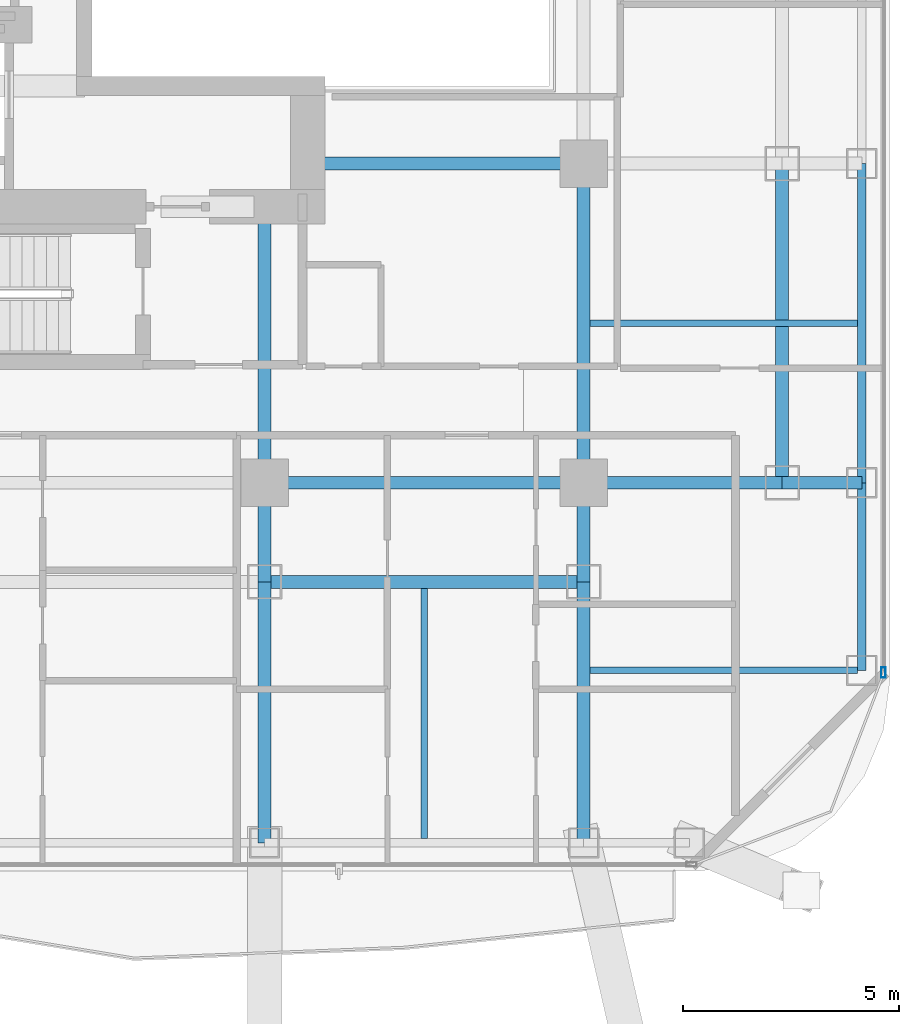
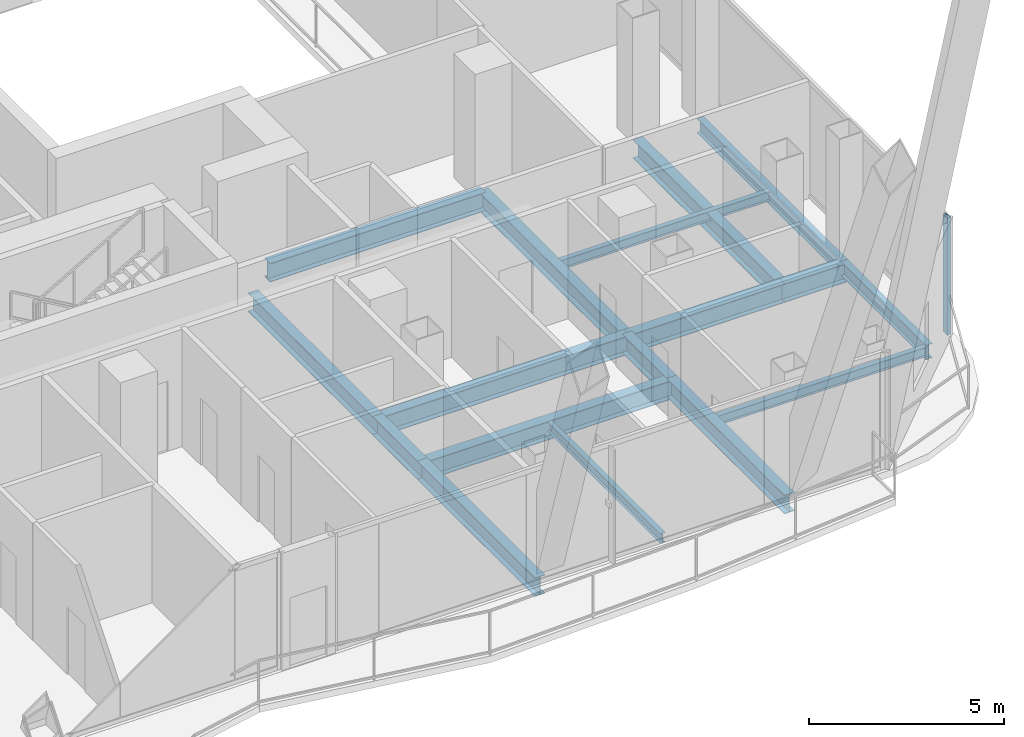
# One storey, part 11 of 34: 17 beams, 1 member, 1 element without a shape of its own.
"""IFC4 building model written with IfcOpenShell, lengths in metres."""

import ifcopenshell
import ifcopenshell.guid

model = None  # the IFC model being written
_history = None  # IfcOwnerHistory: only IFC2X3 demands one
_inside = {}  # id of a spatial element -> (the spatial element, [elements in it])
_under = {}  # id of a project, library or spatial element -> (it, [spatial elements below it])
_declared = {}  # id of a project -> (the project, [libraries it declares])
_typed = {}  # id of a type object -> (the type object, [elements of that type])
_made_of = {}  # id of a material, layer set ... -> (it, [elements and type objects made of it])


def new_model(schema):
    """Start an empty IFC model of exactly this schema.

    Asked for "IFC4X3", IfcOpenShell would pick the latest addendum, in which some entities
    have other attributes; the version numbers below select the first issue.
    IFC2X3 requires an IfcOwnerHistory on every rooted entity: one is made here for all.
    """
    global model, _history
    if schema == "IFC4X3":
        model = ifcopenshell.file(schema_version=(4, 3, 0, 0))
    else:
        model = ifcopenshell.file(schema=schema)
    _inside.clear()
    _under.clear()
    _declared.clear()
    _typed.clear()
    _made_of.clear()
    _history = None
    if model.schema == "IFC2X3":
        org = make("IfcOrganization", Name="unknown")
        user = make(
            "IfcPersonAndOrganization",
            ThePerson=make("IfcPerson", FamilyName="unknown"),
            TheOrganization=org,
        )
        app = make(
            "IfcApplication",
            ApplicationDeveloper=org,
            Version="unknown",
            ApplicationFullName="unknown",
            ApplicationIdentifier="unknown",
        )
        _history = make(
            "IfcOwnerHistory",
            OwningUser=user,
            OwningApplication=app,
            ChangeAction="ADDED",
            CreationDate=0,
        )
    return model


def make(cls, **values):
    """One entity of the class cls with the attributes given. An attribute that is None is left unset."""
    return model.create_entity(
        cls, **{name: value for name, value in values.items() if value is not None}
    )


def rooted(cls, **values):
    """An entity with a GlobalId (a new one), such as an element, a storey or a relation."""
    return make(cls, GlobalId=ifcopenshell.guid.new(), OwnerHistory=_history, **values)


def si_unit(unit_type, name, prefix=None):
    """IfcSIUnit, for example si_unit("LENGTHUNIT", "METRE", prefix="MILLI")."""
    return make("IfcSIUnit", UnitType=unit_type, Prefix=prefix, Name=name)


def assignment(units):
    """IfcUnitAssignment: the units of a project."""
    return None if units is None else make("IfcUnitAssignment", Units=units)


def point(xyz):
    """IfcCartesianPoint."""
    return None if xyz is None else make("IfcCartesianPoint", Coordinates=xyz)


def direction(xyz):
    """IfcDirection."""
    return None if xyz is None else make("IfcDirection", DirectionRatios=xyz)


def frame(location, z_axis=None, x_axis=None):
    """IfcAxis2Placement3D, a coordinate frame: its origin and axes. An axis left out is left unset."""
    return make(
        "IfcAxis2Placement3D",
        Location=point(location),
        Axis=direction(z_axis),
        RefDirection=direction(x_axis),
    )


def frame_2d(location, x_axis=None):
    """IfcAxis2Placement2D, a coordinate frame in the plane: its origin and x axis."""
    return make(
        "IfcAxis2Placement2D", Location=point(location), RefDirection=direction(x_axis)
    )


def origin():
    """The frame at (0, 0, 0) with its axes left unset."""
    return frame((0.0, 0.0, 0.0))


def origin_2d():
    """The frame at (0, 0) in the plane with its x axis left unset."""
    return frame_2d((0.0, 0.0))


def place(relative_to, where):
    """IfcLocalPlacement: puts the frame where relative to a parent placement (None: the world)."""
    return make(
        "IfcLocalPlacement", PlacementRelTo=relative_to, RelativePlacement=where
    )


def context(
    kind, dimensions, precision=None, world=None, true_north=None, identifier=None
):
    """IfcGeometricRepresentationContext, for example the 3D "Model" context."""
    return make(
        "IfcGeometricRepresentationContext",
        ContextIdentifier=identifier,
        ContextType=kind,
        CoordinateSpaceDimension=dimensions,
        Precision=precision,
        WorldCoordinateSystem=world,
        TrueNorth=true_north,
    )


def subcontext(parent, identifier, kind, view, scale=None):
    """IfcGeometricRepresentationSubContext, for example "Body" below "Model"."""
    return make(
        "IfcGeometricRepresentationSubContext",
        ContextIdentifier=identifier,
        ContextType=kind,
        ParentContext=parent,
        TargetScale=scale,
        TargetView=view,
    )


def project(units=None, contexts=None):
    """IfcProject with its units and contexts."""
    return rooted(
        "IfcProject",
        Name="project",
        RepresentationContexts=contexts,
        UnitsInContext=assignment(units),
    )


def spatial(cls, under=None, at=None, **own):
    """A site, building, storey or space (cls), placed at a placement, below another one or the project."""
    s = rooted(cls, ObjectPlacement=at, **own)
    if under is not None:
        _under.setdefault(under.id(), (under, []))[1].append(s)
    return s


def profile(cls, at=None, kind="AREA", **sizes):
    """A parametric profile (cls). Its sizes go by their IFC names, for example OverallWidth=200.0."""
    return make(cls, ProfileType=kind, Position=at, **sizes)


def hollow_rectangle(**sizes):
    """IfcRectangleHollowProfileDef."""
    return profile("IfcRectangleHollowProfileDef", **sizes)


def i_section(**sizes):
    """IfcIShapeProfileDef."""
    return profile("IfcIShapeProfileDef", **sizes)


def extrude(swept, where, along, depth):
    """IfcExtrudedAreaSolid: the profile swept, set in the frame where, extruded along a direction by depth."""
    return make(
        "IfcExtrudedAreaSolid",
        SweptArea=swept,
        Position=where,
        ExtrudedDirection=direction(along),
        Depth=depth,
    )


def shape(context_of_items, identifier, shape_type, items):
    """IfcShapeRepresentation: the items that make up one representation, for example the "Body"."""
    return make(
        "IfcShapeRepresentation",
        ContextOfItems=context_of_items,
        RepresentationIdentifier=identifier,
        RepresentationType=shape_type,
        Items=items,
    )


def material(Name=None, Category=None):
    """IfcMaterial."""
    return make("IfcMaterial", Name=Name, Category=Category)


def layer(
    of_material, thickness, ventilated=None, Name=None, Category=None, Priority=None
):
    """IfcMaterialLayer: one layer of a wall or slab, of a material (None: an air gap)."""
    return make(
        "IfcMaterialLayer",
        Material=of_material,
        LayerThickness=thickness,
        IsVentilated=ventilated,
        Name=Name,
        Category=Category,
        Priority=Priority,
    )


def layer_set(layers, Name=None):
    """IfcMaterialLayerSet."""
    return make("IfcMaterialLayerSet", MaterialLayers=layers, LayerSetName=Name)


def material_profile(
    of_material, cross_section, Name=None, Category=None, Priority=None
):
    """IfcMaterialProfile: a cross section and its material."""
    return make(
        "IfcMaterialProfile",
        Name=Name,
        Material=of_material,
        Profile=cross_section,
        Priority=Priority,
        Category=Category,
    )


def profile_set(profiles, Name=None, composite=None):
    """IfcMaterialProfileSet."""
    return make(
        "IfcMaterialProfileSet",
        Name=Name,
        MaterialProfiles=profiles,
        CompositeProfile=composite,
    )


def made_of(thing, what):
    """Note that an element or type object is made of a material, layer set ...; save() writes the relation."""
    if what is not None:
        _made_of.setdefault(what.id(), (what, []))[1].append(thing)
    return thing


def type_object(cls, material=None, **own):
    """A type object (cls), such as IfcWallType, which elements share."""
    return made_of(rooted(cls, **own), material)


def element(
    cls,
    number,
    at=None,
    inside=None,
    cuts=None,
    type_object=None,
    material=None,
    context=None,
    identifier="Body",
    shape_type=None,
    held_by="IfcProductDefinitionShape",
    body=None,
    shapes=None,
    **own,
):
    """One element of the class cls, such as IfcWall. Its Tag is "e" and its number.

    at: its placement. inside: the storey or other place that contains it. cuts: it is an
    opening in that element (IfcRelVoidsElement). A single representation is given by context,
    identifier, shape_type and body (its items); several are given by shapes. held_by: the class
    of the entity that holds the representations. save() writes the other relations.
    """
    e = rooted(cls, Tag="e%d" % number, ObjectPlacement=at, **own)
    if body is not None:
        shapes = [shape(context, identifier, shape_type, body)]
    if shapes is not None:
        e.Representation = make(held_by, Representations=shapes)
    if inside is not None:
        _inside.setdefault(inside.id(), (inside, []))[1].append(e)
    if cuts is not None:
        rooted(
            "IfcRelVoidsElement", RelatingBuildingElement=cuts, RelatedOpeningElement=e
        )
    if type_object is not None:
        _typed.setdefault(type_object.id(), (type_object, []))[1].append(e)
    return made_of(e, material)


def aggregate(whole, parts):
    """IfcRelAggregates: a whole, such as a stair, and the parts it consists of."""
    return rooted("IfcRelAggregates", RelatingObject=whole, RelatedObjects=parts)


def save(model, path):
    """Write the relations noted so far, then the file.

    IfcRelAggregates (storeys below a building ...), IfcRelContainedInSpatialStructure (elements
    in a storey), IfcRelDefinesByType, IfcRelAssociatesMaterial and IfcRelDeclares: one each for
    every whole, place, type object, material and project.
    """
    for whole, parts in _under.values():
        aggregate(whole, parts)
    for where, things in _inside.values():
        rooted(
            "IfcRelContainedInSpatialStructure",
            RelatedElements=things,
            RelatingStructure=where,
        )
    for kind, things in _typed.values():
        rooted("IfcRelDefinesByType", RelatedObjects=things, RelatingType=kind)
    for what, things in _made_of.values():
        rooted("IfcRelAssociatesMaterial", RelatedObjects=things, RelatingMaterial=what)
    for by, libraries in _declared.values():
        rooted("IfcRelDeclares", RelatingContext=by, RelatedDefinitions=libraries)
    model.write(path)


model = new_model("IFC4")

# Units and contexts
model_context = context("Model", 3, precision=1e-05, world=origin(), true_north=direction((0.0, 1.0)))
body_context = subcontext(model_context, "Body", "Model", "MODEL_VIEW")
ifc_project = project(units=[si_unit("LENGTHUNIT", "METRE"), si_unit("AREAUNIT", "SQUARE_METRE"), si_unit("VOLUMEUNIT", "CUBIC_METRE"), si_unit("PLANEANGLEUNIT", "RADIAN"), si_unit("MASSUNIT", "GRAM", prefix="KILO")], contexts=[model_context])

# Site, building, storey
site_placement = place(None, origin())
site = spatial("IfcSite", under=ifc_project, at=site_placement, CompositionType="ELEMENT")
building_placement = place(site_placement, origin())
building = spatial("IfcBuilding", under=site, at=building_placement, Name="Khorvyn Point Tower", CompositionType="ELEMENT")
storey_placement = place(building_placement, frame((0.0, 0.0, 175.800048828125)))
storey = spatial("IfcBuildingStorey", under=building, at=storey_placement, Name="L43", CompositionType="ELEMENT", Elevation=175.800048828125)

# Curtain wall, member
ifc_material_1 = material(Name="Anodised aluminium 6063-T6 and laminated Low-E glass", Category="aluminium")
ifc_layer = layer(ifc_material_1, 0.18994140625)
ifc_layer_set = layer_set([ifc_layer], Name="Stick-Built Acoustic Curtain Wall CW-SYS-03")
curtain_wall_type = type_object("IfcCurtainWallType", Name="Stick-Built Acoustic Curtain Wall CW-SYS-03", PredefinedType="NOTDEFINED", material=ifc_layer_set)
curtain_wall_placement = place(storey_placement, origin())
curtain_wall = element("IfcCurtainWall", 1, at=curtain_wall_placement, inside=storey, type_object=curtain_wall_type, Name="Curtain Wall", PredefinedType="NOTDEFINED")
ifc_material_2 = material(Name="Anodised aluminium 6063-T6", Category="aluminium")
ifc_material_profile_1 = material_profile(ifc_material_2, hollow_rectangle(XDim=0.10009765625, YDim=0.239990234375, WallThickness=0.0048828125, at=origin_2d()))
ifc_profile_set_1 = profile_set([ifc_material_profile_1], Name="Anodised aluminium 6063-T6 ALU-MUL-100x240")
member_type = type_object("IfcMemberType", Name="Anodised Aluminium 6063-T6 Mullion ALU-MUL-100x240", PredefinedType="MULLION", material=ifc_profile_set_1)
member_placement = place(storey_placement, frame((21.75, -19.199951171875, 0.0), z_axis=(0.0, 0.0, 1.0), x_axis=(1.0, 0.0, 0.0)))
member = element("IfcMember", 2, at=member_placement, type_object=member_type, Name="Transom", PredefinedType="MULLION", context=body_context, shape_type="SweptSolid", body=[
    extrude(hollow_rectangle(XDim=0.10009765625, YDim=0.239990234375, WallThickness=0.0048828125, at=origin_2d()), origin(), (0.0, 0.0, 1.0), 3.679931640625),
])
aggregate(curtain_wall, [member])

# Beams
ifc_material_3 = material(Name="Steel S355", Category="steel")
ifc_material_profile_2 = material_profile(ifc_material_3, i_section(OverallWidth=0.300048828125, OverallDepth=0.587890625, WebThickness=0.011962890625, FlangeThickness=0.02001953125, at=origin_2d()))
ifc_profile_set_2 = profile_set([ifc_material_profile_2], Name="Steel S355 H588x300x12x20")
beam_type_1 = type_object("IfcBeamType", Name="Steel S355 Beam H588x300x12x20", PredefinedType="BEAM", material=ifc_profile_set_2)
beam_1_placement = place(storey_placement, frame((7.39990234375, -14.800048828125, -0.51416015625), z_axis=(1.0, 0.0, 0.0), x_axis=(0.0, 1.0, 0.0)))
element("IfcBeam", 3, at=beam_1_placement, inside=storey, type_object=beam_type_1, Name="Beam", PredefinedType="BEAM", context=body_context, shape_type="SweptSolid", body=[
    extrude(i_section(OverallWidth=0.300048828125, OverallDepth=0.587890625, WebThickness=0.011962890625, FlangeThickness=0.02001953125, at=origin_2d()), origin(), (0.0, 0.0, 1.0), 7.400146484375),
])
beam_2_placement = place(storey_placement, frame((14.800048828125, -14.800048828125, -0.51416015625), z_axis=(1.0, 0.0, 0.0), x_axis=(0.0, 1.0, 0.0)))
element("IfcBeam", 4, at=beam_2_placement, inside=storey, type_object=beam_type_1, Name="Beam", PredefinedType="BEAM", context=body_context, shape_type="SweptSolid", body=[
    extrude(i_section(OverallWidth=0.300048828125, OverallDepth=0.587890625, WebThickness=0.011962890625, FlangeThickness=0.02001953125, at=origin_2d()), origin(), (0.0, 0.0, 1.0), 4.599853515625),
])
beam_3_placement = place(storey_placement, frame((19.39990234375, -14.800048828125, -0.51416015625), z_axis=(1.0, 0.0, 0.0), x_axis=(0.0, 1.0, 0.0)))
element("IfcBeam", 5, at=beam_3_placement, inside=storey, type_object=beam_type_1, Name="Beam", PredefinedType="BEAM", context=body_context, shape_type="SweptSolid", body=[
    extrude(i_section(OverallWidth=0.300048828125, OverallDepth=0.587890625, WebThickness=0.011962890625, FlangeThickness=0.02001953125, at=origin_2d()), origin(), (0.0, 0.0, 1.0), 1.85009765625),
])
beam_4_placement = place(storey_placement, frame((8.39990234375, -7.39990234375, -0.51416015625), z_axis=(1.0, 0.0, 0.0), x_axis=(0.0, 1.0, 0.0)))
element("IfcBeam", 6, at=beam_4_placement, inside=storey, type_object=beam_type_1, Name="Beam", PredefinedType="BEAM", context=body_context, shape_type="SweptSolid", body=[
    extrude(i_section(OverallWidth=0.300048828125, OverallDepth=0.587890625, WebThickness=0.011962890625, FlangeThickness=0.02001953125, at=origin_2d()), origin(), (0.0, 0.0, 1.0), 6.400146484375),
])
beam_5_placement = place(storey_placement, frame((7.39990234375, -17.10009765625, -0.51416015625), z_axis=(1.0, 0.0, 0.0), x_axis=(0.0, 1.0, 0.0)))
element("IfcBeam", 7, at=beam_5_placement, inside=storey, type_object=beam_type_1, Name="Beam", PredefinedType="BEAM", context=body_context, shape_type="SweptSolid", body=[
    extrude(i_section(OverallWidth=0.300048828125, OverallDepth=0.587890625, WebThickness=0.011962890625, FlangeThickness=0.02001953125, at=origin_2d()), origin(), (0.0, 0.0, 1.0), 7.400146484375),
])
beam_6_placement = place(storey_placement, frame((14.800048828125, -23.14990234375, -0.51416015625), z_axis=(0.0, 1.0, 0.0), x_axis=(-1.0, 0.0, 0.0)))
element("IfcBeam", 8, at=beam_6_placement, inside=storey, type_object=beam_type_1, Name="Beam", PredefinedType="BEAM", context=body_context, shape_type="SweptSolid", body=[
    extrude(i_section(OverallWidth=0.300048828125, OverallDepth=0.587890625, WebThickness=0.011962890625, FlangeThickness=0.02001953125, at=origin_2d()), origin(), (0.0, 0.0, 1.0), 6.0498046875),
])
beam_7_placement = place(storey_placement, frame((14.800048828125, -17.10009765625, -0.51416015625), z_axis=(0.0, 1.0, 0.0), x_axis=(-1.0, 0.0, 0.0)))
element("IfcBeam", 9, at=beam_7_placement, inside=storey, type_object=beam_type_1, Name="Beam", PredefinedType="BEAM", context=body_context, shape_type="SweptSolid", body=[
    extrude(i_section(OverallWidth=0.300048828125, OverallDepth=0.587890625, WebThickness=0.011962890625, FlangeThickness=0.02001953125, at=origin_2d()), origin(), (0.0, 0.0, 1.0), 2.300048828125),
])
beam_8_placement = place(storey_placement, frame((14.800048828125, -14.800048828125, -0.51416015625), z_axis=(0.0, 1.0, 0.0), x_axis=(-1.0, 0.0, 0.0)))
element("IfcBeam", 10, at=beam_8_placement, inside=storey, type_object=beam_type_1, Name="Beam", PredefinedType="BEAM", context=body_context, shape_type="SweptSolid", body=[
    extrude(i_section(OverallWidth=0.300048828125, OverallDepth=0.587890625, WebThickness=0.011962890625, FlangeThickness=0.02001953125, at=origin_2d()), origin(), (0.0, 0.0, 1.0), 7.400146484375),
])
beam_9_placement = place(storey_placement, frame((7.39990234375, -23.14990234375, -0.51416015625), z_axis=(0.0, 1.0, 0.0), x_axis=(-1.0, 0.0, 0.0)))
element("IfcBeam", 11, at=beam_9_placement, inside=storey, type_object=beam_type_1, Name="Beam", PredefinedType="BEAM", context=body_context, shape_type="SweptSolid", body=[
    extrude(i_section(OverallWidth=0.300048828125, OverallDepth=0.587890625, WebThickness=0.011962890625, FlangeThickness=0.02001953125, at=origin_2d()), origin(), (0.0, 0.0, 1.0), 6.0498046875),
])
beam_10_placement = place(storey_placement, frame((7.39990234375, -17.10009765625, -0.51416015625), z_axis=(0.0, 1.0, 0.0), x_axis=(-1.0, 0.0, 0.0)))
element("IfcBeam", 12, at=beam_10_placement, inside=storey, type_object=beam_type_1, Name="Beam", PredefinedType="BEAM", context=body_context, shape_type="SweptSolid", body=[
    extrude(i_section(OverallWidth=0.300048828125, OverallDepth=0.587890625, WebThickness=0.011962890625, FlangeThickness=0.02001953125, at=origin_2d()), origin(), (0.0, 0.0, 1.0), 2.300048828125),
])
beam_11_placement = place(storey_placement, frame((7.39990234375, -14.800048828125, -0.51416015625), z_axis=(0.0, 1.0, 0.0), x_axis=(-1.0, 0.0, 0.0)))
element("IfcBeam", 13, at=beam_11_placement, inside=storey, type_object=beam_type_1, Name="Beam", PredefinedType="BEAM", context=body_context, shape_type="SweptSolid", body=[
    extrude(i_section(OverallWidth=0.300048828125, OverallDepth=0.587890625, WebThickness=0.011962890625, FlangeThickness=0.02001953125, at=origin_2d()), origin(), (0.0, 0.0, 1.0), 6.400146484375),
])
beam_12_placement = place(storey_placement, frame((19.39990234375, -14.800048828125, -0.51416015625), z_axis=(0.0, 1.0, 0.0), x_axis=(-1.0, 0.0, 0.0)))
element("IfcBeam", 14, at=beam_12_placement, inside=storey, type_object=beam_type_1, Name="Beam", PredefinedType="BEAM", context=body_context, shape_type="SweptSolid", body=[
    extrude(i_section(OverallWidth=0.300048828125, OverallDepth=0.587890625, WebThickness=0.011962890625, FlangeThickness=0.02001953125, at=origin_2d()), origin(), (0.0, 0.0, 1.0), 7.400146484375),
])
ifc_material_profile_3 = material_profile(ifc_material_3, i_section(OverallWidth=0.14990234375, OverallDepth=0.300048828125, WebThickness=0.006591796875, FlangeThickness=0.009033203125, at=origin_2d()))
ifc_profile_set_3 = profile_set([ifc_material_profile_3], Name="Steel S355 H300x150x6.5x9")
beam_type_2 = type_object("IfcBeamType", Name="Steel S355 Joist H300x150x6.5x9", PredefinedType="JOIST", material=ifc_profile_set_3)
beam_13_placement = place(storey_placement, frame((14.949951171875, -11.10009765625, -0.3701171875), z_axis=(1.0, 0.0, 0.0), x_axis=(0.0, 1.0, 0.0)))
element("IfcBeam", 15, at=beam_13_placement, inside=storey, type_object=beam_type_2, Name="Beam", PredefinedType="JOIST", context=body_context, shape_type="SweptSolid", body=[
    extrude(i_section(OverallWidth=0.14990234375, OverallDepth=0.300048828125, WebThickness=0.006591796875, FlangeThickness=0.009033203125, at=origin_2d()), origin(), (0.0, 0.0, 1.0), 6.199951171875),
])
beam_14_placement = place(storey_placement, frame((11.10009765625, -23.050048828125, -0.3701171875), z_axis=(0.0, 1.0, 0.0), x_axis=(-1.0, 0.0, 0.0)))
element("IfcBeam", 16, at=beam_14_placement, inside=storey, type_object=beam_type_2, Name="Beam", PredefinedType="JOIST", context=body_context, shape_type="SweptSolid", body=[
    extrude(i_section(OverallWidth=0.14990234375, OverallDepth=0.300048828125, WebThickness=0.006591796875, FlangeThickness=0.009033203125, at=origin_2d()), origin(), (0.0, 0.0, 1.0), 5.800048828125),
])
beam_15_placement = place(storey_placement, frame((14.949951171875, -19.14990234375, -0.3701171875), z_axis=(1.0, 0.0, 0.0), x_axis=(0.0, 1.0, 0.0)))
element("IfcBeam", 17, at=beam_15_placement, inside=storey, type_object=beam_type_2, Name="Beam", PredefinedType="JOIST", context=body_context, shape_type="SweptSolid", body=[
    extrude(i_section(OverallWidth=0.14990234375, OverallDepth=0.300048828125, WebThickness=0.006591796875, FlangeThickness=0.009033203125, at=origin_2d()), origin(), (0.0, 0.0, 1.0), 6.199951171875),
])
ifc_material_profile_4 = material_profile(ifc_material_3, i_section(OverallWidth=0.199951171875, OverallDepth=0.449951171875, WebThickness=0.009033203125, FlangeThickness=0.013916015625, at=origin_2d()))
ifc_profile_set_4 = profile_set([ifc_material_profile_4], Name="Steel S355 H450x200x9x14")
beam_type_3 = type_object("IfcBeamType", Name="Steel S355 Spandrel H450x200x9x14", PredefinedType="SPANDREL", material=ifc_profile_set_4)
beam_16_placement = place(storey_placement, frame((21.25, -19.14990234375, -0.445068359375), z_axis=(0.0, 1.0, 0.0), x_axis=(-1.0, 0.0, 0.0)))
element("IfcBeam", 18, at=beam_16_placement, inside=storey, type_object=beam_type_3, Name="Beam", PredefinedType="SPANDREL", context=body_context, shape_type="SweptSolid", body=[
    extrude(i_section(OverallWidth=0.199951171875, OverallDepth=0.449951171875, WebThickness=0.009033203125, FlangeThickness=0.013916015625, at=origin_2d()), origin(), (0.0, 0.0, 1.0), 4.349853515625),
])
beam_17_placement = place(storey_placement, frame((21.25, -14.800048828125, -0.445068359375), z_axis=(0.0, 1.0, 0.0), x_axis=(-1.0, 0.0, 0.0)))
element("IfcBeam", 19, at=beam_17_placement, inside=storey, type_object=beam_type_3, Name="Beam", PredefinedType="SPANDREL", context=body_context, shape_type="SweptSolid", body=[
    extrude(i_section(OverallWidth=0.199951171875, OverallDepth=0.449951171875, WebThickness=0.009033203125, FlangeThickness=0.013916015625, at=origin_2d()), origin(), (0.0, 0.0, 1.0), 7.400146484375),
])

save(model, "model.ifc")
